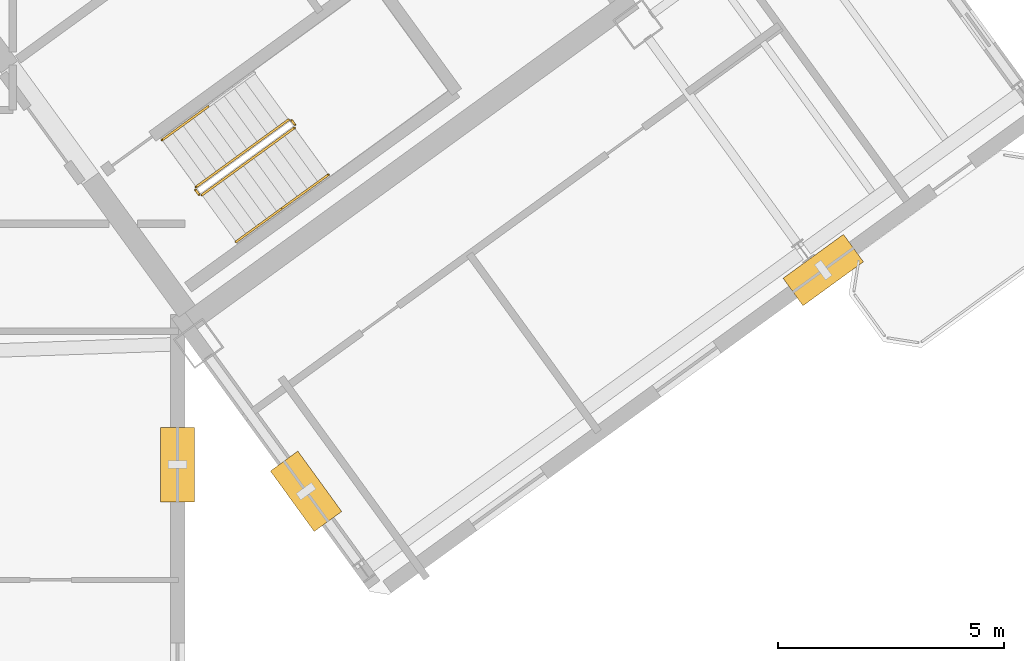
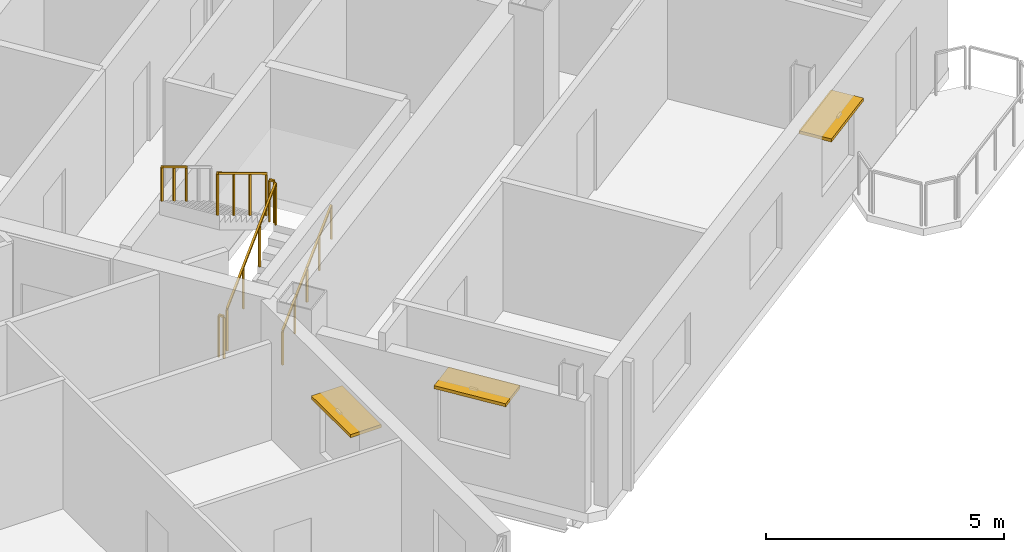
# One storey, part 25 of 27: 7 railings, 3 shading devices.
"""IFC4 building model written with IfcOpenShell, lengths in metres."""

from ifc_helpers import new_model, si_unit, direction, frame, origin, origin_2d, place, context, subcontext, project, spatial, rectangle, extrude, source, transform, mapped, material, layer, layer_set, type_object, element, save


model = new_model("IFC4")

# Units and contexts
model_context = context("Model", 3, precision=1e-05, world=origin(), true_north=direction((0.0, 1.0)))
body_context = subcontext(model_context, "Body", "Model", "MODEL_VIEW")
ifc_project = project(units=[si_unit("LENGTHUNIT", "METRE"), si_unit("AREAUNIT", "SQUARE_METRE"), si_unit("VOLUMEUNIT", "CUBIC_METRE"), si_unit("PLANEANGLEUNIT", "RADIAN"), si_unit("MASSUNIT", "GRAM", prefix="KILO")], contexts=[model_context])

# Site, building, storey
site_placement = place(None, origin())
site = spatial("IfcSite", under=ifc_project, at=site_placement, CompositionType="ELEMENT")
building_placement = place(site_placement, origin())
building = spatial("IfcBuilding", under=site, at=building_placement, Name="Tlacorven Tower", CompositionType="ELEMENT")
storey_placement = place(building_placement, frame((0.0, 0.0, 242.10009765625)))
storey = spatial("IfcBuildingStorey", under=building, at=storey_placement, Name="L61", CompositionType="ELEMENT", Elevation=242.10009765625)

# Shading devices
ifc_material_1 = material(Name="Anodised bronze aluminium sunshade", Category="aluminium")
ifc_layer = layer(ifc_material_1, 0.080078125)
ifc_layer_set = layer_set([ifc_layer], Name="Anodised bronze aluminium sunshade")
shading_device_type = type_object("IfcShadingDeviceType", Name="SH-SUN-BRZ", PredefinedType="AWNING", material=ifc_layer_set)
shared_shape_1 = source(origin(), body_context, "Body", "SweptSolid", [
    extrude(rectangle(XDim=1.64990234375, YDim=0.75, at=origin_2d()), origin(), (0.0, 0.0, 1.0), 0.080078125),
])
for number, where, z_axis, x_axis, name in (
    (1, (66.505615234375, 14.39453125, 2.369873046875), (0.0, 0.0, 1.0), (-0.809017097486, -0.587785110372, 0.0), "L61 Solar Brise-Soleil Sunshade L61-06.1"),
    (2, (55.07861328125, 9.507080078125, 2.369873046875), (0.0, 0.0, 1.0), (-0.587785622053, 0.809016725728, 0.0), "L61 Solar Brise-Soleil Sunshade L61-07.1"),
    (3, (52.239990234375, 10.096435546875, 2.369873046875), (0.0, 0.0, 1.0), (0.0, -1.0, 0.0), "L61 Solar Brise-Soleil Sunshade L61-08.1"),
):
    element("IfcShadingDevice", number, at=place(storey_placement, frame(where, z_axis=z_axis, x_axis=x_axis)), inside=storey, type_object=shading_device_type, Name=name, PredefinedType="AWNING", context=body_context, shape_type="MappedRepresentation", body=[
        mapped(shared_shape_1, transform((0.0, 0.0, 0.0), scale=1.0)),
    ])

# Railings
ifc_material_2 = material(Name="Aluminium and painted steel balustrade", Category="steel")
railing_type_1 = type_object("IfcRailingType", Name="RL-GRD-1100", PredefinedType="GUARDRAIL", material=ifc_material_2)
shared_shape_2 = source(origin(), body_context, "Body", "SweptSolid", [
    extrude(rectangle(XDim=0.048095703125, YDim=0.048095703125, at=origin_2d()), frame((0.0, 0.0, 1.076171875), z_axis=(-0.587567097037, 0.809175448515, 0.0), x_axis=(-0.809175448515, -0.587567097037, 0.0)), (0.0, 0.0, 1.0), 0.1201171875),
    extrude(rectangle(XDim=0.0419921875, YDim=0.0419921875, at=origin_2d()), origin(), (0.0, 0.0, 1.0), 1.052001953125),
    extrude(rectangle(XDim=0.0419921875, YDim=0.0419921875, at=origin_2d()), frame((-0.070556640625, 0.09716796875, 0.0)), (0.0, 0.0, 1.0), 1.052001953125),
])
for number, where, name in (
    (4, (54.8310546875, 17.605712890625, 1.7998046875), "L61 ST-E2 stair guard 2"),
    (5, (52.71142578125, 16.065673828125, 0.0), "L61 ST-E2 stair guard 4"),
):
    element("IfcRailing", number, at=place(storey_placement, frame(where)), inside=storey, type_object=railing_type_1, Name=name, PredefinedType="GUARDRAIL", context=body_context, shape_type="MappedRepresentation", body=[
        mapped(shared_shape_2, transform((0.0, 0.0, 0.0), scale=1.0)),
    ])
railing_type_2 = type_object("IfcRailingType", Name="RL-HND-0900", PredefinedType="HANDRAIL", material=ifc_material_2)
shared_shape_3 = source(origin(), body_context, "Body", "SweptSolid", [
    extrude(rectangle(XDim=0.048095703125, YDim=0.048095703125, at=origin_2d()), frame((0.0, 0.0, 0.8759765625), z_axis=(-0.680461216233, -0.494495647917, 0.540783309093), x_axis=(0.587872112667, -0.808953879494, 0.0)), (0.0, 0.0, 1.0), 1.498046875),
    extrude(rectangle(XDim=0.0419921875, YDim=0.0419921875, at=origin_2d()), origin(), (0.0, 0.0, 1.0), 0.851806640625),
    extrude(rectangle(XDim=0.0419921875, YDim=0.0419921875, at=origin_2d()), frame((-0.509765625, -0.370361328125, 0.405029296875)), (0.0, 0.0, 1.0), 0.851806640625),
    extrude(rectangle(XDim=0.0419921875, YDim=0.0419921875, at=origin_2d()), frame((-1.019287109375, -0.74072265625, 0.81005859375)), (0.0, 0.0, 1.0), 0.851806640625),
])
railing_1_placement = place(storey_placement, frame((52.9189453125, 18.0087890625, 2.789794921875)))
element("IfcRailing", 6, at=railing_1_placement, inside=storey, type_object=railing_type_2, Name="L61 ST-E2 stair handrail 4", PredefinedType="HANDRAIL", context=body_context, shape_type="MappedRepresentation", body=[
    mapped(shared_shape_3, transform((0.0, 0.0, 0.0), scale=1.0)),
])
shared_shape_4 = source(origin(), body_context, "Body", "SweptSolid", [
    extrude(rectangle(XDim=0.048095703125, YDim=0.048095703125, at=origin_2d()), frame((0.0, 0.0, 0.8759765625), z_axis=(0.680576044605, 0.494416082224, 0.54071155448), x_axis=(-0.587745292299, 0.809046025502, 0.0)), (0.0, 0.0, 1.0), 1.497802734375),
    extrude(rectangle(XDim=0.0419921875, YDim=0.0419921875, at=origin_2d()), origin(), (0.0, 0.0, 1.0), 0.851806640625),
    extrude(rectangle(XDim=0.0419921875, YDim=0.0419921875, at=origin_2d()), frame((0.509765625, 0.3701171875, 0.40478515625)), (0.0, 0.0, 1.0), 0.851806640625),
    extrude(rectangle(XDim=0.0419921875, YDim=0.0419921875, at=origin_2d()), frame((1.019287109375, 0.740478515625, 0.809814453125)), (0.0, 0.0, 1.0), 0.851806640625),
])
railing_2_placement = place(storey_placement, frame((54.552978515625, 15.759765625, 0.989990234375)))
element("IfcRailing", 7, at=railing_2_placement, inside=storey, type_object=railing_type_2, Name="L61 ST-E2 stair handrail 2", PredefinedType="HANDRAIL", context=body_context, shape_type="MappedRepresentation", body=[
    mapped(shared_shape_4, transform((0.0, 0.0, 0.0), scale=1.0)),
])
shared_shape_5 = source(origin(), body_context, "Body", "SweptSolid", [
    extrude(rectangle(XDim=0.048095703125, YDim=0.048095703125, at=origin_2d()), frame((0.0, 0.0, 0.8759765625), z_axis=(0.680461216233, 0.494495647917, 0.540783309093), x_axis=(-0.587872112667, 0.808953879494, 0.0)), (0.0, 0.0, 1.0), 1.498046875),
    extrude(rectangle(XDim=0.0419921875, YDim=0.0419921875, at=origin_2d()), origin(), (0.0, 0.0, 1.0), 0.851806640625),
    extrude(rectangle(XDim=0.0419921875, YDim=0.0419921875, at=origin_2d()), frame((0.509765625, 0.370361328125, 0.405029296875)), (0.0, 0.0, 1.0), 0.851806640625),
    extrude(rectangle(XDim=0.0419921875, YDim=0.0419921875, at=origin_2d()), frame((1.019287109375, 0.74072265625, 0.81005859375)), (0.0, 0.0, 1.0), 0.851806640625),
])
railing_3_placement = place(storey_placement, frame((53.53369140625, 15.01904296875, 0.179931640625)))
element("IfcRailing", 8, at=railing_3_placement, inside=storey, type_object=railing_type_2, Name="L61 ST-E2 stair handrail 1", PredefinedType="HANDRAIL", context=body_context, shape_type="MappedRepresentation", body=[
    mapped(shared_shape_5, transform((0.0, 0.0, 0.0), scale=1.0)),
])
shared_shape_6 = source(origin(), body_context, "Body", "SweptSolid", [
    extrude(rectangle(XDim=0.048095703125, YDim=0.048095703125, at=origin_2d()), frame((0.0, 0.0, 1.076171875), z_axis=(0.680562380517, 0.494428447203, 0.540717446381), x_axis=(-0.587762637553, 0.809033424462, 0.0)), (0.0, 0.0, 1.0), 2.995849609375),
    extrude(rectangle(XDim=0.0419921875, YDim=0.0419921875, at=origin_2d()), origin(), (0.0, 0.0, 1.0), 1.052001953125),
    extrude(rectangle(XDim=0.0419921875, YDim=0.0419921875, at=origin_2d()), frame((0.6796875, 0.49365234375, 0.5400390625)), (0.0, 0.0, 1.0), 1.052001953125),
    extrude(rectangle(XDim=0.0419921875, YDim=0.0419921875, at=origin_2d()), frame((1.359130859375, 0.987548828125, 1.079833984375)), (0.0, 0.0, 1.0), 1.052001953125),
    extrude(rectangle(XDim=0.0419921875, YDim=0.0419921875, at=origin_2d()), frame((2.038818359375, 1.481201171875, 1.619873046875)), (0.0, 0.0, 1.0), 1.052001953125),
])
railing_4_placement = place(storey_placement, frame((52.78125, 16.0546875, 0.179931640625)))
element("IfcRailing", 9, at=railing_4_placement, inside=storey, type_object=railing_type_1, Name="L61 ST-E2 stair guard 1", PredefinedType="GUARDRAIL", context=body_context, shape_type="MappedRepresentation", body=[
    mapped(shared_shape_6, transform((0.0, 0.0, 0.0), scale=1.0)),
])
shared_shape_7 = source(origin(), body_context, "Body", "SweptSolid", [
    extrude(rectangle(XDim=0.048095703125, YDim=0.048095703125, at=origin_2d()), frame((0.0, 0.0, 1.076171875), z_axis=(-0.680562380517, -0.494428447203, 0.540717446381), x_axis=(0.587762637553, -0.809033424462, 0.0)), (0.0, 0.0, 1.0), 2.995849609375),
    extrude(rectangle(XDim=0.0419921875, YDim=0.0419921875, at=origin_2d()), origin(), (0.0, 0.0, 1.0), 1.052001953125),
    extrude(rectangle(XDim=0.0419921875, YDim=0.0419921875, at=origin_2d()), frame((-0.6796875, -0.49365234375, 0.5400390625)), (0.0, 0.0, 1.0), 1.052001953125),
    extrude(rectangle(XDim=0.0419921875, YDim=0.0419921875, at=origin_2d()), frame((-1.359130859375, -0.987548828125, 1.079833984375)), (0.0, 0.0, 1.0), 1.052001953125),
    extrude(rectangle(XDim=0.0419921875, YDim=0.0419921875, at=origin_2d()), frame((-2.038818359375, -1.481201171875, 1.619873046875)), (0.0, 0.0, 1.0), 1.052001953125),
])
railing_5_placement = place(storey_placement, frame((54.690673828125, 17.7138671875, 1.97998046875)))
element("IfcRailing", 10, at=railing_5_placement, inside=storey, type_object=railing_type_1, Name="L61 ST-E2 stair guard 3", PredefinedType="GUARDRAIL", context=body_context, shape_type="MappedRepresentation", body=[
    mapped(shared_shape_7, transform((0.0, 0.0, 0.0), scale=1.0)),
])

save(model, "model.ifc")
